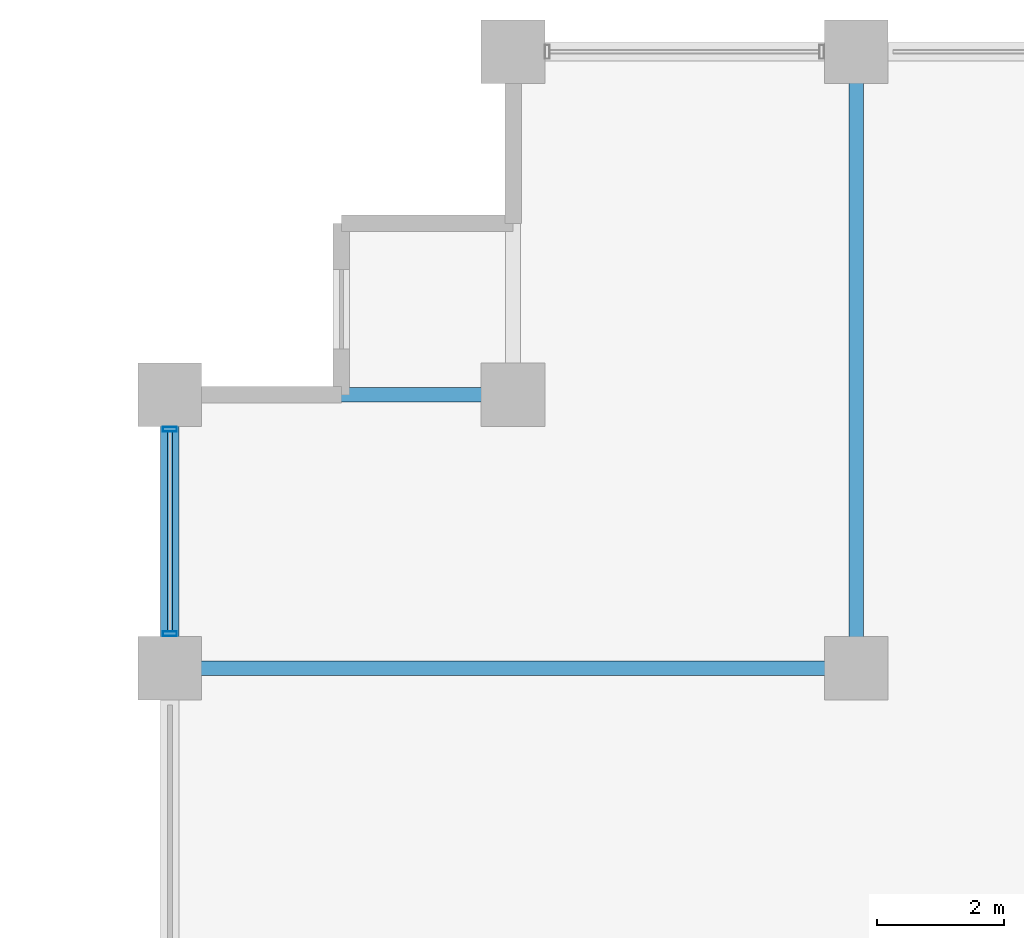
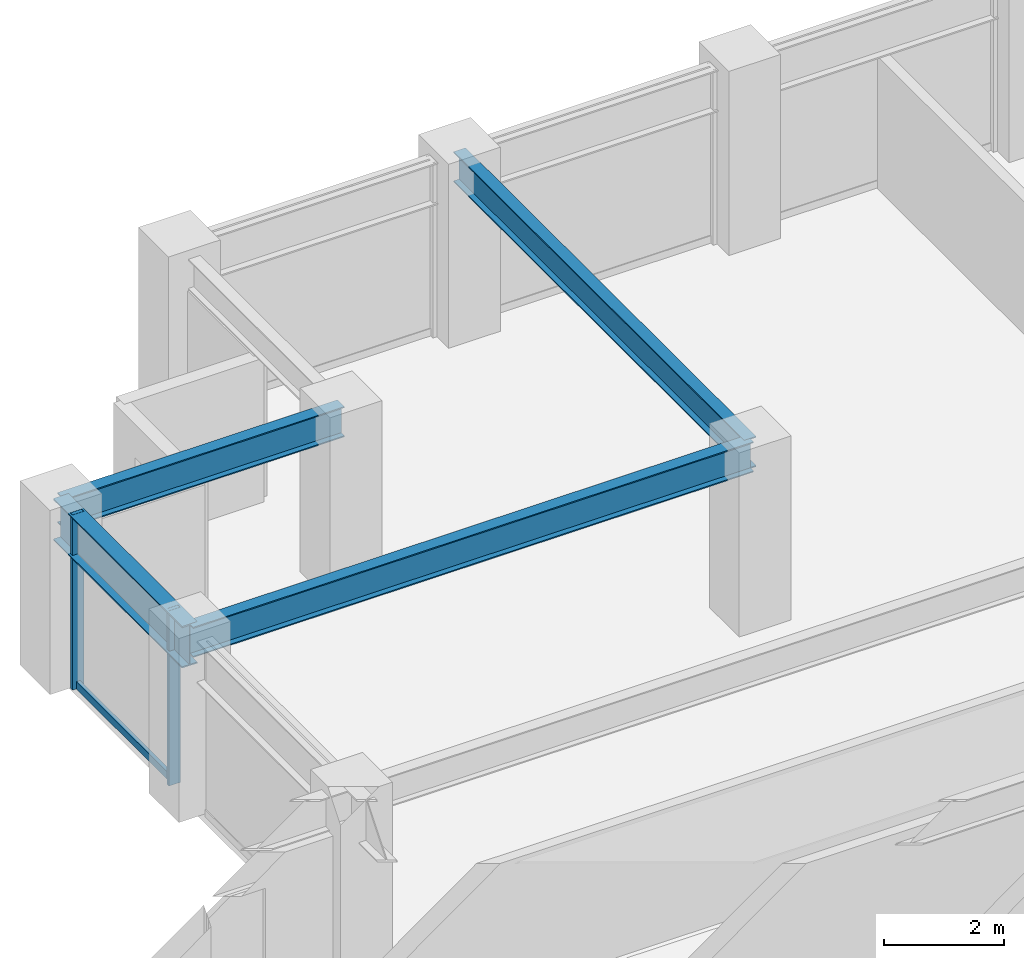
# One storey, part 12 of 29: 4 beams, 3 members, 1 element without a shape of its own.
"""IFC4 building model written with IfcOpenShell, lengths in metres."""

from ifc_helpers import new_model, si_unit, direction, frame, origin, origin_2d, place, context, subcontext, project, spatial, hollow_rectangle, i_section, extrude, material, layer, layer_set, material_profile, profile_set, type_object, element, aggregate, save


model = new_model("IFC4")

# Units and contexts
model_context = context("Model", 3, precision=1e-05, world=origin(), true_north=direction((0.0, 1.0)))
body_context = subcontext(model_context, "Body", "Model", "MODEL_VIEW")
ifc_project = project(units=[si_unit("LENGTHUNIT", "METRE"), si_unit("AREAUNIT", "SQUARE_METRE"), si_unit("VOLUMEUNIT", "CUBIC_METRE"), si_unit("PLANEANGLEUNIT", "RADIAN"), si_unit("MASSUNIT", "GRAM", prefix="KILO")], contexts=[model_context])

# Site, building, storey
site_placement = place(None, origin())
site = spatial("IfcSite", under=ifc_project, at=site_placement, CompositionType="ELEMENT")
building_placement = place(site_placement, origin())
building = spatial("IfcBuilding", under=site, at=building_placement, Name="Surkhivell Harbour Commons", CompositionType="ELEMENT")
storey_placement = place(building_placement, frame((0.0, 0.0, 154.5)))
storey = spatial("IfcBuildingStorey", under=building, at=storey_placement, Name="L40", CompositionType="ELEMENT", Elevation=154.5)

# Beams
ifc_material_1 = material(Name="Steel S355", Category="steel")
ifc_material_profile_1 = material_profile(ifc_material_1, i_section(OverallWidth=0.22998046875, OverallDepth=0.616943359375, WebThickness=0.01318359375, FlangeThickness=0.022216796875, at=origin_2d()), Name="UB610x229x140")
ifc_profile_set_1 = profile_set([ifc_material_profile_1], Name="Steel S355")
beam_type_1 = type_object("IfcBeamType", Name="BM-GRD-610B", PredefinedType="BEAM", material=ifc_profile_set_1)
beam_1_placement = place(storey_placement, frame((-32.39990234375, 16.199951171875, 3.261474609375), z_axis=(1.0, 0.0, 0.0), x_axis=(0.0, 1.0, 0.0)))
element("IfcBeam", 1, at=beam_1_placement, inside=storey, type_object=beam_type_1, Name="L40 Floor Girder (-32.4,16.2)", PredefinedType="BEAM", context=body_context, shape_type="SweptSolid", body=[
    extrude(i_section(OverallWidth=0.22998046875, OverallDepth=0.616943359375, WebThickness=0.01318359375, FlangeThickness=0.022216796875, at=origin_2d()), origin(), (0.0, 0.0, 1.0), 10.7998046875),
])
beam_2_placement = place(storey_placement, frame((-32.39990234375, 20.5, 3.261474609375), z_axis=(1.0, 0.0, 0.0), x_axis=(0.0, 1.0, 0.0)))
element("IfcBeam", 2, at=beam_2_placement, inside=storey, type_object=beam_type_1, Name="L40 Floor Girder (-32.4,20.5)", PredefinedType="BEAM", context=body_context, shape_type="SweptSolid", body=[
    extrude(i_section(OverallWidth=0.22998046875, OverallDepth=0.616943359375, WebThickness=0.01318359375, FlangeThickness=0.022216796875, at=origin_2d()), origin(), (0.0, 0.0, 1.0), 5.39990234375),
])
beam_3_placement = place(storey_placement, frame((-21.60009765625, 16.199951171875, 3.261474609375), z_axis=(0.0, 1.0, 0.0), x_axis=(-1.0, 0.0, 0.0)))
element("IfcBeam", 3, at=beam_3_placement, inside=storey, type_object=beam_type_1, Name="L40 Floor Girder (-21.6,16.2)", PredefinedType="BEAM", context=body_context, shape_type="SweptSolid", body=[
    extrude(i_section(OverallWidth=0.22998046875, OverallDepth=0.616943359375, WebThickness=0.01318359375, FlangeThickness=0.022216796875, at=origin_2d()), origin(), (0.0, 0.0, 1.0), 9.699951171875),
])
ifc_material_2 = material(Name="Steel S460", Category="steel")
ifc_material_profile_2 = material_profile(ifc_material_2, i_section(OverallWidth=0.2939453125, OverallDepth=0.85107421875, WebThickness=0.01611328125, FlangeThickness=0.02685546875, at=origin_2d()), Name="UB838x292x226")
ifc_profile_set_2 = profile_set([ifc_material_profile_2], Name="Steel S460")
beam_type_2 = type_object("IfcBeamType", Name="BM-SPN-838", PredefinedType="SPANDREL", material=ifc_profile_set_2)
beam_4_placement = place(storey_placement, frame((-32.39990234375, 16.199951171875, 3.14453125), z_axis=(0.0, 1.0, 0.0), x_axis=(-1.0, 0.0, 0.0)))
element("IfcBeam", 4, at=beam_4_placement, inside=storey, type_object=beam_type_2, Name="L40 Tube Spandrel (-32.4,16.2)", PredefinedType="SPANDREL", context=body_context, shape_type="SweptSolid", body=[
    extrude(i_section(OverallWidth=0.2939453125, OverallDepth=0.85107421875, WebThickness=0.01611328125, FlangeThickness=0.02685546875, at=origin_2d()), origin(), (0.0, 0.0, 1.0), 4.300048828125),
])

# Curtain wall, members
ifc_material_3 = material(Name="Anodised pale-metal aluminium and insulated glazing", Category="aluminium")
ifc_layer = layer(ifc_material_3, 0.205078125)
ifc_layer_set = layer_set([ifc_layer], Name="Anodised pale-metal aluminium and insulated glazing")
curtain_wall_type = type_object("IfcCurtainWallType", Name="CW-SYS-Z2", PredefinedType="NOTDEFINED", material=ifc_layer_set)
curtain_wall_placement = place(storey_placement, origin())
curtain_wall = element("IfcCurtainWall", 5, at=curtain_wall_placement, inside=storey, type_object=curtain_wall_type, Name="L40 Curtain Wall CW-L40-E12R2", PredefinedType="NOTDEFINED")
ifc_material_4 = material(Name="Anodised pale-metal aluminium alloy 6063-T6", Category="aluminium")
ifc_material_profile_3 = material_profile(ifc_material_4, hollow_rectangle(XDim=0.074951171875, YDim=0.219970703125, WallThickness=0.00390625, at=origin_2d()), Name="ALU-MULL-75x220")
ifc_profile_set_3 = profile_set([ifc_material_profile_3], Name="Anodised pale-metal aluminium alloy 6063-T6")
member_type_1 = type_object("IfcMemberType", Name="CWM-220", PredefinedType="MULLION", material=ifc_profile_set_3)
member_1_placement = place(storey_placement, frame((-32.39990234375, 16.739501953125, 0.0), z_axis=(0.0, 0.0, 1.0), x_axis=(0.0, 1.0, 0.0)))
member_1 = element("IfcMember", 6, at=member_1_placement, type_object=member_type_1, Name="CW-Z2 mullion 2", PredefinedType="MULLION", context=body_context, shape_type="SweptSolid", body=[
    extrude(hollow_rectangle(XDim=0.074951171875, YDim=0.219970703125, WallThickness=0.00390625, at=origin_2d()), origin(), (0.0, 0.0, 1.0), 3.570068359375),
])
member_2_placement = place(storey_placement, frame((-32.39990234375, 19.96044921875, 0.0), z_axis=(0.0, 0.0, 1.0), x_axis=(0.0, 1.0, 0.0)))
member_2 = element("IfcMember", 7, at=member_2_placement, type_object=member_type_1, Name="CW-Z2 mullion 3", PredefinedType="MULLION", context=body_context, shape_type="SweptSolid", body=[
    extrude(hollow_rectangle(XDim=0.074951171875, YDim=0.219970703125, WallThickness=0.00390625, at=origin_2d()), origin(), (0.0, 0.0, 1.0), 3.570068359375),
])
ifc_material_profile_4 = material_profile(ifc_material_4, hollow_rectangle(XDim=0.074951171875, YDim=0.14990234375, WallThickness=0.00341796875, at=origin_2d()), Name="ALU-TRAN-75x150")
ifc_profile_set_4 = profile_set([ifc_material_profile_4], Name="Anodised pale-metal aluminium alloy 6063-T6")
member_type_2 = type_object("IfcMemberType", Name="CWT-150", PredefinedType="USERDEFINED", material=ifc_profile_set_4)
member_3_placement = place(storey_placement, frame((-32.39990234375, 16.777099609375, 0.074951171875), z_axis=(0.0, 1.0, 0.0), x_axis=(-1.0, 0.0, 0.0)))
member_3 = element("IfcMember", 8, at=member_3_placement, type_object=member_type_2, Name="CW-Z2 transom 2.1", ObjectType="TRANSOM", PredefinedType="USERDEFINED", context=body_context, shape_type="SweptSolid", body=[
    extrude(hollow_rectangle(XDim=0.074951171875, YDim=0.14990234375, WallThickness=0.00341796875, at=origin_2d()), origin(), (0.0, 0.0, 1.0), 3.14599609375),
])
aggregate(curtain_wall, [member_1, member_2, member_3])

save(model, "model.ifc")
